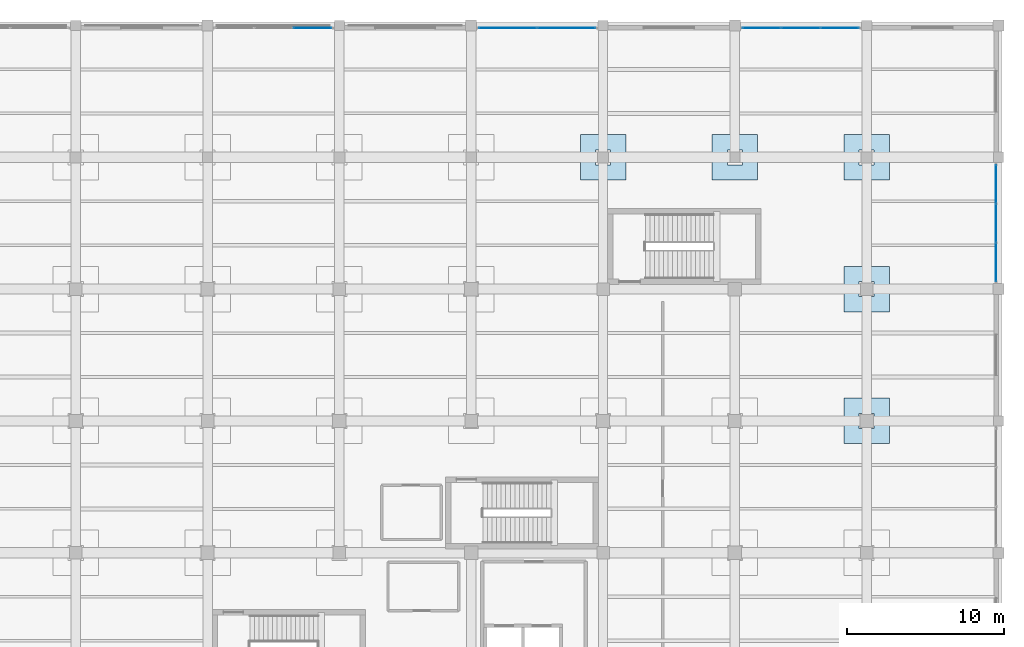
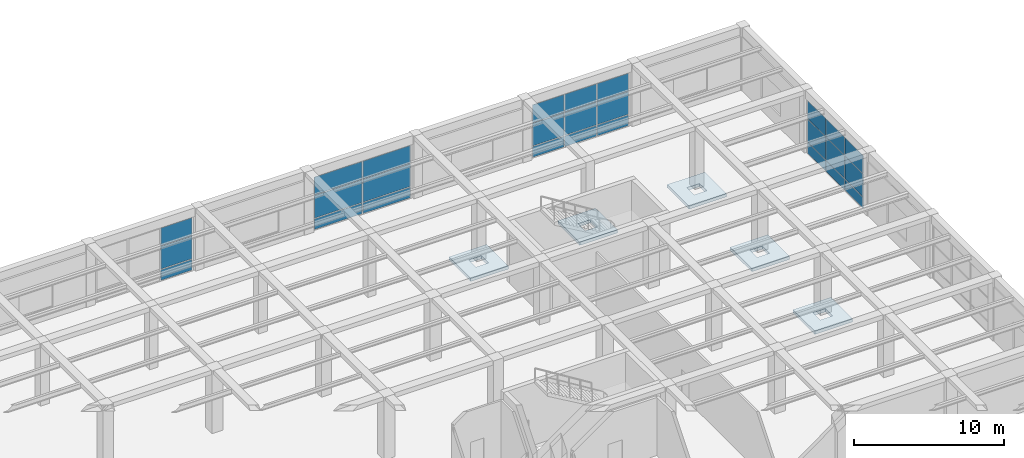
# One storey, part 76 of 96: 27 plates, 5 slabs, 4 elements without a shape of their own.
"""IFC4 building model written with IfcOpenShell, lengths in metres."""

from ifc_helpers import new_model, si_unit, direction, frame, origin, origin_2d, place, context, subcontext, project, spatial, polyline, rectangle, outline, extrude, material, layer, layer_set, type_object, element, aggregate, save


model = new_model("IFC4")

# Units and contexts
model_context = context("Model", 3, precision=1e-05, world=origin(), true_north=direction((0.0, 1.0)))
body_context = subcontext(model_context, "Body", "Model", "MODEL_VIEW")
ifc_project = project(units=[si_unit("LENGTHUNIT", "METRE"), si_unit("AREAUNIT", "SQUARE_METRE"), si_unit("VOLUMEUNIT", "CUBIC_METRE"), si_unit("PLANEANGLEUNIT", "RADIAN"), si_unit("MASSUNIT", "GRAM", prefix="KILO")], contexts=[model_context])

# Site, building, storey
site_placement = place(None, origin())
site = spatial("IfcSite", under=ifc_project, at=site_placement, CompositionType="ELEMENT")
building_placement = place(site_placement, origin())
building = spatial("IfcBuilding", under=site, at=building_placement, Name="Almacenes y Pasaje Nevantli", CompositionType="ELEMENT")
storey_placement = place(building_placement, frame((0.0, 0.0, 6.0)))
storey = spatial("IfcBuildingStorey", under=building, at=storey_placement, Name="L02", CompositionType="ELEMENT", Elevation=6.0)

# Curtain wall, plates
ifc_material_1 = material(Name="Thermally Broken Aluminium and Low-E Glass", Category="aluminium")
curtain_wall_type_1 = type_object("IfcCurtainWallType", Name="CW-STF-BLVD", PredefinedType="USERDEFINED", material=ifc_material_1)
curtain_wall_1_placement = place(storey_placement, origin())
curtain_wall_1 = element("IfcCurtainWall", 1, at=curtain_wall_1_placement, inside=storey, type_object=curtain_wall_type_1, Name="L02 North Boulevard Retail Curtain Wall Bay 15", ObjectType="STOREFRONT GLAZING", PredefinedType="USERDEFINED")
ifc_material_2 = material(Name="Low-E Double Glazed Insulated Unit", Category="glass")
ifc_layer_1 = layer(ifc_material_2, 0.031982421875)
ifc_layer_set_1 = layer_set([ifc_layer_1], Name="Low-E Double Glazed Insulated Unit")
plate_type = type_object("IfcPlateType", Name="PL-IGU-32", PredefinedType="CURTAIN_PANEL", material=ifc_layer_set_1)
plate_1_placement = place(storey_placement, frame((124.284912109375, 117.449951171875, 0.06005859375), z_axis=(0.0, 0.0, 1.0), x_axis=(1.0, 0.0, 0.0)))
plate_1 = element("IfcPlate", 2, at=plate_1_placement, type_object=plate_type, Name="CW-L02-009 panel 3.1", PredefinedType="CURTAIN_PANEL", context=body_context, shape_type="SweptSolid", body=[
    extrude(rectangle(XDim=2.409912109375, YDim=0.031982421875, at=origin_2d()), origin(), (0.0, 0.0, 1.0), 0.860107421875),
])
plate_2_placement = place(storey_placement, frame((124.284912109375, 117.449951171875, 0.97998046875), z_axis=(0.0, 0.0, 1.0), x_axis=(1.0, 0.0, 0.0)))
plate_2 = element("IfcPlate", 3, at=plate_2_placement, type_object=plate_type, Name="CW-L02-009 panel 3.2", PredefinedType="CURTAIN_PANEL", context=body_context, shape_type="SweptSolid", body=[
    extrude(rectangle(XDim=2.409912109375, YDim=0.031982421875, at=origin_2d()), origin(), (0.0, 0.0, 1.0), 1.840087890625),
])
plate_3_placement = place(storey_placement, frame((124.284912109375, 117.449951171875, 2.880126953125), z_axis=(0.0, 0.0, 1.0), x_axis=(1.0, 0.0, 0.0)))
plate_3 = element("IfcPlate", 4, at=plate_3_placement, type_object=plate_type, Name="CW-L02-009 panel 3.3", PredefinedType="CURTAIN_PANEL", context=body_context, shape_type="SweptSolid", body=[
    extrude(rectangle(XDim=2.409912109375, YDim=0.031982421875, at=origin_2d()), origin(), (0.0, 0.0, 1.0), 1.43994140625),
])
aggregate(curtain_wall_1, [plate_1, plate_2, plate_3])

curtain_wall_2_placement = place(storey_placement, origin())
curtain_wall_2 = element("IfcCurtainWall", 5, at=curtain_wall_2_placement, inside=storey, type_object=curtain_wall_type_1, Name="L02 North Boulevard Retail Curtain Wall Bay 17", ObjectType="STOREFRONT GLAZING", PredefinedType="USERDEFINED")
plate_4_placement = place(storey_placement, frame((136.739990234375, 117.449951171875, 0.06005859375), z_axis=(0.0, 0.0, 1.0), x_axis=(1.0, 0.0, 0.0)))
plate_4 = element("IfcPlate", 6, at=plate_4_placement, type_object=plate_type, Name="CW-L02-010 panel 1.1", PredefinedType="CURTAIN_PANEL", context=body_context, shape_type="SweptSolid", body=[
    extrude(rectangle(XDim=3.659912109375, YDim=0.031982421875, at=origin_2d()), origin(), (0.0, 0.0, 1.0), 0.860107421875),
])
plate_5_placement = place(storey_placement, frame((136.739990234375, 117.449951171875, 0.97998046875), z_axis=(0.0, 0.0, 1.0), x_axis=(1.0, 0.0, 0.0)))
plate_5 = element("IfcPlate", 7, at=plate_5_placement, type_object=plate_type, Name="CW-L02-010 panel 1.2", PredefinedType="CURTAIN_PANEL", context=body_context, shape_type="SweptSolid", body=[
    extrude(rectangle(XDim=3.659912109375, YDim=0.031982421875, at=origin_2d()), origin(), (0.0, 0.0, 1.0), 1.840087890625),
])
plate_6_placement = place(storey_placement, frame((136.739990234375, 117.449951171875, 2.880126953125), z_axis=(0.0, 0.0, 1.0), x_axis=(1.0, 0.0, 0.0)))
plate_6 = element("IfcPlate", 8, at=plate_6_placement, type_object=plate_type, Name="CW-L02-010 panel 1.3", PredefinedType="CURTAIN_PANEL", context=body_context, shape_type="SweptSolid", body=[
    extrude(rectangle(XDim=3.659912109375, YDim=0.031982421875, at=origin_2d()), origin(), (0.0, 0.0, 1.0), 1.43994140625),
])
plate_7_placement = place(storey_placement, frame((140.4599609375, 117.449951171875, 0.06005859375), z_axis=(0.0, 0.0, 1.0), x_axis=(1.0, 0.0, 0.0)))
plate_7 = element("IfcPlate", 9, at=plate_7_placement, type_object=plate_type, Name="CW-L02-010 panel 2.1", PredefinedType="CURTAIN_PANEL", context=body_context, shape_type="SweptSolid", body=[
    extrude(rectangle(XDim=3.659912109375, YDim=0.031982421875, at=origin_2d()), origin(), (0.0, 0.0, 1.0), 0.860107421875),
])
plate_8_placement = place(storey_placement, frame((140.4599609375, 117.449951171875, 0.97998046875), z_axis=(0.0, 0.0, 1.0), x_axis=(1.0, 0.0, 0.0)))
plate_8 = element("IfcPlate", 10, at=plate_8_placement, type_object=plate_type, Name="CW-L02-010 panel 2.2", PredefinedType="CURTAIN_PANEL", context=body_context, shape_type="SweptSolid", body=[
    extrude(rectangle(XDim=3.659912109375, YDim=0.031982421875, at=origin_2d()), origin(), (0.0, 0.0, 1.0), 1.840087890625),
])
plate_9_placement = place(storey_placement, frame((140.4599609375, 117.449951171875, 2.880126953125), z_axis=(0.0, 0.0, 1.0), x_axis=(1.0, 0.0, 0.0)))
plate_9 = element("IfcPlate", 11, at=plate_9_placement, type_object=plate_type, Name="CW-L02-010 panel 2.3", PredefinedType="CURTAIN_PANEL", context=body_context, shape_type="SweptSolid", body=[
    extrude(rectangle(XDim=3.659912109375, YDim=0.031982421875, at=origin_2d()), origin(), (0.0, 0.0, 1.0), 1.43994140625),
])
aggregate(curtain_wall_2, [plate_4, plate_5, plate_6, plate_7, plate_8, plate_9])

curtain_wall_3_placement = place(storey_placement, origin())
curtain_wall_3 = element("IfcCurtainWall", 12, at=curtain_wall_3_placement, inside=storey, type_object=curtain_wall_type_1, Name="L02 North Boulevard Retail Curtain Wall Bay 19", ObjectType="STOREFRONT GLAZING", PredefinedType="USERDEFINED")
plate_10_placement = place(storey_placement, frame((152.9150390625, 117.449951171875, 0.06005859375), z_axis=(0.0, 0.0, 1.0), x_axis=(1.0, 0.0, 0.0)))
plate_10 = element("IfcPlate", 13, at=plate_10_placement, type_object=plate_type, Name="CW-L02-011 panel 1.1", PredefinedType="CURTAIN_PANEL", context=body_context, shape_type="SweptSolid", body=[
    extrude(rectangle(XDim=2.409912109375, YDim=0.031982421875, at=origin_2d()), origin(), (0.0, 0.0, 1.0), 0.860107421875),
])
plate_11_placement = place(storey_placement, frame((152.9150390625, 117.449951171875, 0.97998046875), z_axis=(0.0, 0.0, 1.0), x_axis=(1.0, 0.0, 0.0)))
plate_11 = element("IfcPlate", 14, at=plate_11_placement, type_object=plate_type, Name="CW-L02-011 panel 1.2", PredefinedType="CURTAIN_PANEL", context=body_context, shape_type="SweptSolid", body=[
    extrude(rectangle(XDim=2.409912109375, YDim=0.031982421875, at=origin_2d()), origin(), (0.0, 0.0, 1.0), 1.840087890625),
])
plate_12_placement = place(storey_placement, frame((152.9150390625, 117.449951171875, 2.880126953125), z_axis=(0.0, 0.0, 1.0), x_axis=(1.0, 0.0, 0.0)))
plate_12 = element("IfcPlate", 15, at=plate_12_placement, type_object=plate_type, Name="CW-L02-011 panel 1.3", PredefinedType="CURTAIN_PANEL", context=body_context, shape_type="SweptSolid", body=[
    extrude(rectangle(XDim=2.409912109375, YDim=0.031982421875, at=origin_2d()), origin(), (0.0, 0.0, 1.0), 1.43994140625),
])
plate_13_placement = place(storey_placement, frame((155.39990234375, 117.449951171875, 0.06005859375), z_axis=(0.0, 0.0, 1.0), x_axis=(1.0, 0.0, 0.0)))
plate_13 = element("IfcPlate", 16, at=plate_13_placement, type_object=plate_type, Name="CW-L02-011 panel 2.1", PredefinedType="CURTAIN_PANEL", context=body_context, shape_type="SweptSolid", body=[
    extrude(rectangle(XDim=2.43994140625, YDim=0.031982421875, at=origin_2d()), origin(), (0.0, 0.0, 1.0), 0.860107421875),
])
plate_14_placement = place(storey_placement, frame((155.39990234375, 117.449951171875, 0.97998046875), z_axis=(0.0, 0.0, 1.0), x_axis=(1.0, 0.0, 0.0)))
plate_14 = element("IfcPlate", 17, at=plate_14_placement, type_object=plate_type, Name="CW-L02-011 panel 2.2", PredefinedType="CURTAIN_PANEL", context=body_context, shape_type="SweptSolid", body=[
    extrude(rectangle(XDim=2.43994140625, YDim=0.031982421875, at=origin_2d()), origin(), (0.0, 0.0, 1.0), 1.840087890625),
])
plate_15_placement = place(storey_placement, frame((155.39990234375, 117.449951171875, 2.880126953125), z_axis=(0.0, 0.0, 1.0), x_axis=(1.0, 0.0, 0.0)))
plate_15 = element("IfcPlate", 18, at=plate_15_placement, type_object=plate_type, Name="CW-L02-011 panel 2.3", PredefinedType="CURTAIN_PANEL", context=body_context, shape_type="SweptSolid", body=[
    extrude(rectangle(XDim=2.43994140625, YDim=0.031982421875, at=origin_2d()), origin(), (0.0, 0.0, 1.0), 1.43994140625),
])
plate_16_placement = place(storey_placement, frame((157.885009765625, 117.449951171875, 0.06005859375), z_axis=(0.0, 0.0, 1.0), x_axis=(1.0, 0.0, 0.0)))
plate_16 = element("IfcPlate", 19, at=plate_16_placement, type_object=plate_type, Name="CW-L02-011 panel 3.1", PredefinedType="CURTAIN_PANEL", context=body_context, shape_type="SweptSolid", body=[
    extrude(rectangle(XDim=2.409912109375, YDim=0.031982421875, at=origin_2d()), origin(), (0.0, 0.0, 1.0), 0.860107421875),
])
plate_17_placement = place(storey_placement, frame((157.885009765625, 117.449951171875, 0.97998046875), z_axis=(0.0, 0.0, 1.0), x_axis=(1.0, 0.0, 0.0)))
plate_17 = element("IfcPlate", 20, at=plate_17_placement, type_object=plate_type, Name="CW-L02-011 panel 3.2", PredefinedType="CURTAIN_PANEL", context=body_context, shape_type="SweptSolid", body=[
    extrude(rectangle(XDim=2.409912109375, YDim=0.031982421875, at=origin_2d()), origin(), (0.0, 0.0, 1.0), 1.840087890625),
])
plate_18_placement = place(storey_placement, frame((157.885009765625, 117.449951171875, 2.880126953125), z_axis=(0.0, 0.0, 1.0), x_axis=(1.0, 0.0, 0.0)))
plate_18 = element("IfcPlate", 21, at=plate_18_placement, type_object=plate_type, Name="CW-L02-011 panel 3.3", PredefinedType="CURTAIN_PANEL", context=body_context, shape_type="SweptSolid", body=[
    extrude(rectangle(XDim=2.409912109375, YDim=0.031982421875, at=origin_2d()), origin(), (0.0, 0.0, 1.0), 1.43994140625),
])
aggregate(curtain_wall_3, [plate_10, plate_11, plate_12, plate_13, plate_14, plate_15, plate_16, plate_17, plate_18])

ifc_material_3 = material(Name="Thermally Broken Aluminium and Low-E Glass", Category="aluminium")
curtain_wall_type_2 = type_object("IfcCurtainWallType", Name="CW-UNIT-PODIUM", PredefinedType="USERDEFINED", material=ifc_material_3)
curtain_wall_4_placement = place(storey_placement, origin())
curtain_wall_4 = element("IfcCurtainWall", 22, at=curtain_wall_4_placement, inside=storey, type_object=curtain_wall_type_2, Name="L02 East Office Wing Curtain Wall Bay 13", ObjectType="UNITIZED CURTAIN WALL", PredefinedType="USERDEFINED")
plate_19_placement = place(storey_placement, frame((167.85009765625, 102.513671875, 0.05517578125), z_axis=(0.0, 0.0, 1.0), x_axis=(0.0, 1.0, 0.0)))
plate_19 = element("IfcPlate", 23, at=plate_19_placement, type_object=plate_type, Name="CW-L02-024 panel 1.1", PredefinedType="CURTAIN_PANEL", context=body_context, shape_type="SweptSolid", body=[
    extrude(rectangle(XDim=2.41748046875, YDim=0.031982421875, at=origin_2d()), origin(), (0.0, 0.0, 1.0), 0.867431640625),
])
plate_20_placement = place(storey_placement, frame((167.85009765625, 102.513671875, 0.9775390625), z_axis=(0.0, 0.0, 1.0), x_axis=(0.0, 1.0, 0.0)))
plate_20 = element("IfcPlate", 24, at=plate_20_placement, type_object=plate_type, Name="CW-L02-024 panel 1.2", PredefinedType="CURTAIN_PANEL", context=body_context, shape_type="SweptSolid", body=[
    extrude(rectangle(XDim=2.41748046875, YDim=0.031982421875, at=origin_2d()), origin(), (0.0, 0.0, 1.0), 1.844970703125),
])
plate_21_placement = place(storey_placement, frame((167.85009765625, 102.513671875, 2.87744140625), z_axis=(0.0, 0.0, 1.0), x_axis=(0.0, 1.0, 0.0)))
plate_21 = element("IfcPlate", 25, at=plate_21_placement, type_object=plate_type, Name="CW-L02-024 panel 1.3", PredefinedType="CURTAIN_PANEL", context=body_context, shape_type="SweptSolid", body=[
    extrude(rectangle(XDim=2.41748046875, YDim=0.031982421875, at=origin_2d()), origin(), (0.0, 0.0, 1.0), 1.447509765625),
])
plate_22_placement = place(storey_placement, frame((167.85009765625, 105.0, 0.05517578125), z_axis=(0.0, 0.0, 1.0), x_axis=(0.0, 1.0, 0.0)))
plate_22 = element("IfcPlate", 26, at=plate_22_placement, type_object=plate_type, Name="CW-L02-024 panel 2.1", PredefinedType="CURTAIN_PANEL", context=body_context, shape_type="SweptSolid", body=[
    extrude(rectangle(XDim=2.445068359375, YDim=0.031982421875, at=origin_2d()), origin(), (0.0, 0.0, 1.0), 0.867431640625),
])
plate_23_placement = place(storey_placement, frame((167.85009765625, 105.0, 0.9775390625), z_axis=(0.0, 0.0, 1.0), x_axis=(0.0, 1.0, 0.0)))
plate_23 = element("IfcPlate", 27, at=plate_23_placement, type_object=plate_type, Name="CW-L02-024 panel 2.2", PredefinedType="CURTAIN_PANEL", context=body_context, shape_type="SweptSolid", body=[
    extrude(rectangle(XDim=2.445068359375, YDim=0.031982421875, at=origin_2d()), origin(), (0.0, 0.0, 1.0), 1.844970703125),
])
plate_24_placement = place(storey_placement, frame((167.85009765625, 105.0, 2.87744140625), z_axis=(0.0, 0.0, 1.0), x_axis=(0.0, 1.0, 0.0)))
plate_24 = element("IfcPlate", 28, at=plate_24_placement, type_object=plate_type, Name="CW-L02-024 panel 2.3", PredefinedType="CURTAIN_PANEL", context=body_context, shape_type="SweptSolid", body=[
    extrude(rectangle(XDim=2.445068359375, YDim=0.031982421875, at=origin_2d()), origin(), (0.0, 0.0, 1.0), 1.447509765625),
])
plate_25_placement = place(storey_placement, frame((167.85009765625, 107.486328125, 0.05517578125), z_axis=(0.0, 0.0, 1.0), x_axis=(0.0, 1.0, 0.0)))
plate_25 = element("IfcPlate", 29, at=plate_25_placement, type_object=plate_type, Name="CW-L02-024 panel 3.1", PredefinedType="CURTAIN_PANEL", context=body_context, shape_type="SweptSolid", body=[
    extrude(rectangle(XDim=2.41748046875, YDim=0.031982421875, at=origin_2d()), origin(), (0.0, 0.0, 1.0), 0.867431640625),
])
plate_26_placement = place(storey_placement, frame((167.85009765625, 107.486328125, 0.9775390625), z_axis=(0.0, 0.0, 1.0), x_axis=(0.0, 1.0, 0.0)))
plate_26 = element("IfcPlate", 30, at=plate_26_placement, type_object=plate_type, Name="CW-L02-024 panel 3.2", PredefinedType="CURTAIN_PANEL", context=body_context, shape_type="SweptSolid", body=[
    extrude(rectangle(XDim=2.41748046875, YDim=0.031982421875, at=origin_2d()), origin(), (0.0, 0.0, 1.0), 1.844970703125),
])
plate_27_placement = place(storey_placement, frame((167.85009765625, 107.486328125, 2.87744140625), z_axis=(0.0, 0.0, 1.0), x_axis=(0.0, 1.0, 0.0)))
plate_27 = element("IfcPlate", 31, at=plate_27_placement, type_object=plate_type, Name="CW-L02-024 panel 3.3", PredefinedType="CURTAIN_PANEL", context=body_context, shape_type="SweptSolid", body=[
    extrude(rectangle(XDim=2.41748046875, YDim=0.031982421875, at=origin_2d()), origin(), (0.0, 0.0, 1.0), 1.447509765625),
])
aggregate(curtain_wall_4, [plate_19, plate_20, plate_21, plate_22, plate_23, plate_24, plate_25, plate_26, plate_27])

# Slabs
ifc_material_4 = material(Name="Concrete C35/45", Category="concrete")
ifc_layer_2 = layer(ifc_material_4, 0.25)
ifc_layer_set_2 = layer_set([ifc_layer_2], Name="Concrete C35/45")
slab_type = type_object("IfcSlabType", Name="SLB-DP-250", PredefinedType="USERDEFINED", material=ifc_layer_set_2)
slab_1_placement = place(storey_placement, frame((0.0, 0.0, -0.550048828125)))
element("IfcSlab", 32, at=slab_1_placement, inside=storey, type_object=slab_type, Name="L02 Punching-Shear Drop Panel DP-02 #554", ObjectType="DROP PANEL", PredefinedType="USERDEFINED", context=body_context, shape_type="SweptSolid", body=[
    extrude(outline(polyline([(141.35009765625, 107.75), (144.25, 107.75), (144.25, 110.64990234375), (141.35009765625, 110.64990234375), (141.35009765625, 107.75)]), holes=[polyline([(142.320068359375, 108.719970703125), (143.280029296875, 108.719970703125), (143.280029296875, 109.679931640625), (142.320068359375, 109.679931640625), (142.320068359375, 108.719970703125)])]), origin(), (0.0, 0.0, 1.0), 0.25),
])
slab_2_placement = place(storey_placement, frame((0.0, 0.0, -0.550048828125)))
element("IfcSlab", 33, at=slab_2_placement, inside=storey, type_object=slab_type, Name="L02 Punching-Shear Drop Panel DP-02 #563", ObjectType="DROP PANEL", PredefinedType="USERDEFINED", context=body_context, shape_type="SweptSolid", body=[
    extrude(outline(polyline([(149.75, 107.75), (152.64990234375, 107.75), (152.64990234375, 110.64990234375), (149.75, 110.64990234375), (149.75, 107.75)]), holes=[polyline([(150.719970703125, 108.719970703125), (151.679931640625, 108.719970703125), (151.679931640625, 109.679931640625), (150.719970703125, 109.679931640625), (150.719970703125, 108.719970703125)])]), origin(), (0.0, 0.0, 1.0), 0.25),
])
slab_3_placement = place(storey_placement, frame((0.0, 0.0, -0.550048828125)))
element("IfcSlab", 34, at=slab_3_placement, inside=storey, type_object=slab_type, Name="L02 Punching-Shear Drop Panel DP-02 #571", ObjectType="DROP PANEL", PredefinedType="USERDEFINED", context=body_context, shape_type="SweptSolid", body=[
    extrude(outline(polyline([(158.14990234375, 90.949951171875), (161.050048828125, 90.949951171875), (161.050048828125, 93.85009765625), (158.14990234375, 93.85009765625), (158.14990234375, 90.949951171875)]), holes=[polyline([(159.1201171875, 91.919921875), (160.080078125, 91.919921875), (160.080078125, 92.8798828125), (159.1201171875, 92.8798828125), (159.1201171875, 91.919921875)])]), origin(), (0.0, 0.0, 1.0), 0.25),
])
slab_4_placement = place(storey_placement, frame((0.0, 0.0, -0.550048828125)))
element("IfcSlab", 35, at=slab_4_placement, inside=storey, type_object=slab_type, Name="L02 Punching-Shear Drop Panel DP-02 #572", ObjectType="DROP PANEL", PredefinedType="USERDEFINED", context=body_context, shape_type="SweptSolid", body=[
    extrude(outline(polyline([(158.14990234375, 99.35009765625), (161.050048828125, 99.35009765625), (161.050048828125, 102.25), (158.14990234375, 102.25), (158.14990234375, 99.35009765625)]), holes=[polyline([(159.1201171875, 100.320068359375), (160.080078125, 100.320068359375), (160.080078125, 101.280029296875), (159.1201171875, 101.280029296875), (159.1201171875, 100.320068359375)])]), origin(), (0.0, 0.0, 1.0), 0.25),
])
slab_5_placement = place(storey_placement, frame((0.0, 0.0, -0.550048828125)))
element("IfcSlab", 36, at=slab_5_placement, inside=storey, type_object=slab_type, Name="L02 Punching-Shear Drop Panel DP-02 #573", ObjectType="DROP PANEL", PredefinedType="USERDEFINED", context=body_context, shape_type="SweptSolid", body=[
    extrude(outline(polyline([(158.14990234375, 107.75), (161.050048828125, 107.75), (161.050048828125, 110.64990234375), (158.14990234375, 110.64990234375), (158.14990234375, 107.75)]), holes=[polyline([(159.1201171875, 108.719970703125), (160.080078125, 108.719970703125), (160.080078125, 109.679931640625), (159.1201171875, 109.679931640625), (159.1201171875, 108.719970703125)])]), origin(), (0.0, 0.0, 1.0), 0.25),
])

save(model, "model.ifc")
